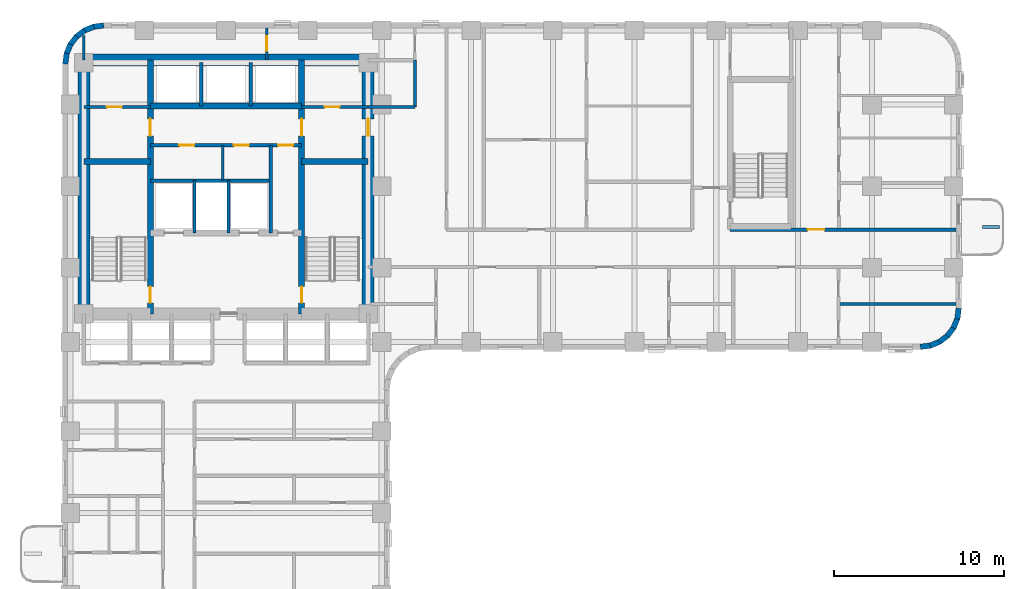
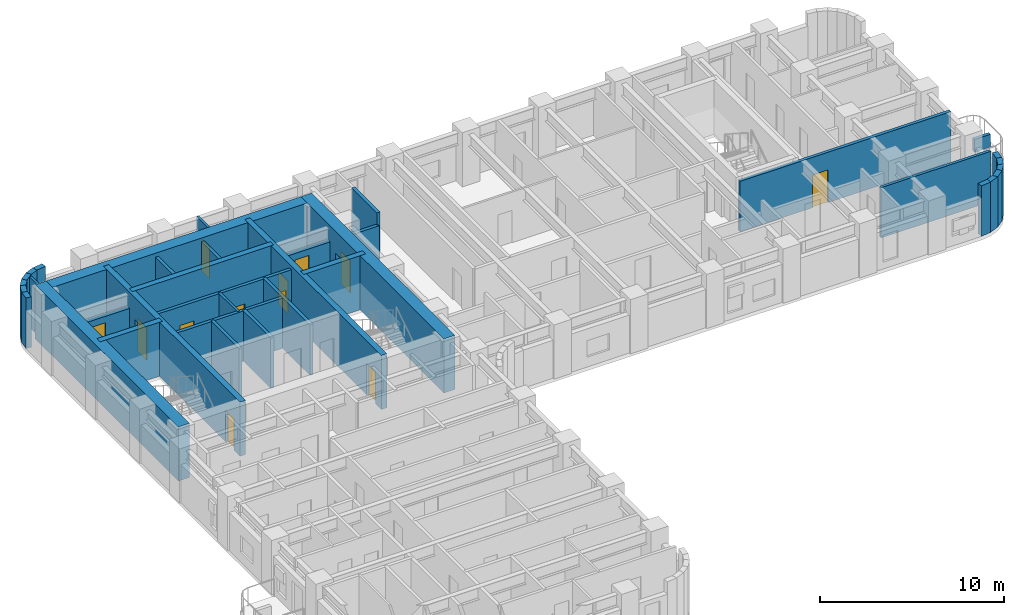
# One storey, part 6 of 12: 37 walls, 12 doors, 12 openings.
"""IFC4 building model written with IfcOpenShell, lengths in metres."""

from ifc_helpers import new_model, si_unit, direction, frame, frame_2d, origin, place, context, subcontext, project, spatial, rectangle, extrude, material, layer, layer_set, type_object, element, fill, save


model = new_model("IFC4")

# Units and contexts
model_context = context("Model", 3, precision=1e-05, world=origin(), true_north=direction((0.0, 1.0)))
body_context = subcontext(model_context, "Body", "Model", "MODEL_VIEW")
ifc_project = project(units=[si_unit("LENGTHUNIT", "METRE"), si_unit("AREAUNIT", "SQUARE_METRE"), si_unit("VOLUMEUNIT", "CUBIC_METRE"), si_unit("PLANEANGLEUNIT", "RADIAN"), si_unit("MASSUNIT", "GRAM", prefix="KILO")], contexts=[model_context])

# Site, building, storey
site_placement = place(None, origin())
site = spatial("IfcSite", under=ifc_project, at=site_placement, CompositionType="ELEMENT")
building_placement = place(site_placement, origin())
building = spatial("IfcBuilding", under=site, at=building_placement, Name="Orvandelia Arch Residences", CompositionType="ELEMENT")
storey_placement = place(building_placement, frame((0.0, 0.0, 39.39990234375)))
storey = spatial("IfcBuildingStorey", under=building, at=storey_placement, Name="L09", CompositionType="ELEMENT", Elevation=39.39990234375)

# Wall, openings, doors
ifc_material_1 = material(Name="Concrete C50/60", Category="concrete")
ifc_layer_1 = layer(ifc_material_1, 0.35009765625, Name="Concrete C50/60", Category="concrete")
ifc_layer_set_1 = layer_set([ifc_layer_1], Name="Concrete C50/60")
wall_type_1 = type_object("IfcWallType", Name="WL-CORE-350", PredefinedType="SHEAR", material=ifc_layer_set_1)
wall_1_placement = place(storey_placement, frame((9.9599609375, 30.89990234375, 0.0), z_axis=(0.0, 0.0, 1.0), x_axis=(0.0, 1.0, 0.0)))
wall_1 = element("IfcWall", 1, at=wall_1_placement, inside=storey, type_object=wall_type_1, Name="Core Shear Wall L09-WEB1", PredefinedType="SHEAR", context=body_context, shape_type="SweptSolid", body=[
    extrude(rectangle(XDim=14.900146484375, YDim=0.35009765625, at=frame_2d((7.4501953125, 0.0))), origin(), (0.0, 0.0, 1.0), 3.60009765625),
])
opening_1_placement = place(wall_1_placement, frame((0.64990234375, 0.0, 0.0)))
opening_1 = element("IfcOpeningElement", 2, at=opening_1_placement, cuts=wall_1, Name="Opening D7", PredefinedType="OPENING", context=body_context, shape_type="SweptSolid", body=[
    extrude(rectangle(XDim=0.949951171875, YDim=2.10009765625, at=frame_2d((0.47509765625, 1.050048828125))), frame((0.0, 0.18505859375, 0.0), z_axis=(0.0, -1.0, 0.0), x_axis=(1.0, 0.0, 0.0)), (0.0, 0.0, 1.0), 0.3701171875),
])
opening_2_placement = place(wall_1_placement, frame((10.449951171875, 0.0, 0.0)))
opening_2 = element("IfcOpeningElement", 3, at=opening_2_placement, cuts=wall_1, Name="Opening D6", PredefinedType="OPENING", context=body_context, shape_type="SweptSolid", body=[
    extrude(rectangle(XDim=1.0, YDim=2.14990234375, at=frame_2d((0.5, 1.074951171875))), frame((0.0, 0.18505859375, 0.0), z_axis=(0.0, -1.0, 0.0), x_axis=(1.0, 0.0, 0.0)), (0.0, 0.0, 1.0), 0.3701171875),
])
ifc_material_2 = material(Name="Smokeproof Painted Steel Fire Door", Category="steel")
door_type_1 = type_object("IfcDoorType", Name="DR-FD60-1000", OperationType="NOTDEFINED", PredefinedType="DOOR", material=ifc_material_2)
door_1_placement = place(opening_2_placement, origin())
door_1 = element("IfcDoor", 4, at=door_1_placement, inside=storey, type_object=door_type_1, Name="High-Rise Lift Hall West Vestibule Door L09", OperationType="SINGLE_SWING_LEFT", OverallHeight=2.14990234375, OverallWidth=1.0, PredefinedType="DOOR", context=body_context, shape_type="SweptSolid", body=[
    extrude(rectangle(XDim=1.0, YDim=2.14990234375, at=frame_2d((0.5, 1.074951171875))), frame((0.0, 0.02490234375, 0.0), z_axis=(0.0, -1.0, 0.0), x_axis=(1.0, 0.0, 0.0)), (0.0, 0.0, 1.0), 0.050048828125),
])
fill(opening_2, door_1)
ifc_material_3 = material(Name="Pressurised Stairwell Fire Door")
door_type_2 = type_object("IfcDoorType", Name="DR-STAIR-950", OperationType="NOTDEFINED", PredefinedType="DOOR", material=ifc_material_3)
door_2_placement = place(opening_1_placement, origin())
door_2 = element("IfcDoor", 5, at=door_2_placement, inside=storey, type_object=door_type_2, Name="Stairwell ST-1 Fire Door L09", OperationType="SINGLE_SWING_LEFT", OverallHeight=2.10009765625, OverallWidth=0.949951171875, PredefinedType="DOOR", context=body_context, shape_type="SweptSolid", body=[
    extrude(rectangle(XDim=0.949951171875, YDim=2.10009765625, at=frame_2d((0.47509765625, 1.050048828125))), frame((0.0, 0.02490234375, 0.0), z_axis=(0.0, -1.0, 0.0), x_axis=(1.0, 0.0, 0.0)), (0.0, 0.0, 1.0), 0.050048828125),
])
fill(opening_1, door_2)

wall_2_placement = place(storey_placement, frame((18.840087890625, 30.89990234375, 0.0), z_axis=(0.0, 0.0, 1.0), x_axis=(0.0, 1.0, 0.0)))
wall_2 = element("IfcWall", 6, at=wall_2_placement, inside=storey, type_object=wall_type_1, Name="Core Shear Wall L09-WEB2", PredefinedType="SHEAR", context=body_context, shape_type="SweptSolid", body=[
    extrude(rectangle(XDim=14.900146484375, YDim=0.35009765625, at=frame_2d((7.4501953125, 0.0))), origin(), (0.0, 0.0, 1.0), 3.60009765625),
])
opening_3_placement = place(wall_2_placement, frame((0.64990234375, 0.0, 0.0)))
opening_3 = element("IfcOpeningElement", 7, at=opening_3_placement, cuts=wall_2, Name="Opening D7", PredefinedType="OPENING", context=body_context, shape_type="SweptSolid", body=[
    extrude(rectangle(XDim=0.949951171875, YDim=2.10009765625, at=frame_2d((0.47509765625, 1.050048828125))), frame((0.0, 0.18505859375, 0.0), z_axis=(0.0, -1.0, 0.0), x_axis=(1.0, 0.0, 0.0)), (0.0, 0.0, 1.0), 0.3701171875),
])
opening_4_placement = place(wall_2_placement, frame((10.449951171875, 0.0, 0.0)))
opening_4 = element("IfcOpeningElement", 8, at=opening_4_placement, cuts=wall_2, Name="Opening D6", PredefinedType="OPENING", context=body_context, shape_type="SweptSolid", body=[
    extrude(rectangle(XDim=1.0, YDim=2.14990234375, at=frame_2d((0.5, 1.074951171875))), frame((0.0, 0.18505859375, 0.0), z_axis=(0.0, -1.0, 0.0), x_axis=(1.0, 0.0, 0.0)), (0.0, 0.0, 1.0), 0.3701171875),
])
door_3_placement = place(opening_4_placement, origin())
door_3 = element("IfcDoor", 9, at=door_3_placement, inside=storey, type_object=door_type_1, Name="High-Rise Lift Hall East Vestibule Door L09", OperationType="SINGLE_SWING_RIGHT", OverallHeight=2.14990234375, OverallWidth=1.0, PredefinedType="DOOR", context=body_context, shape_type="SweptSolid", body=[
    extrude(rectangle(XDim=1.0, YDim=2.14990234375, at=frame_2d((0.5, 1.074951171875))), frame((0.0, 0.02490234375, 0.0), z_axis=(0.0, -1.0, 0.0), x_axis=(1.0, 0.0, 0.0)), (0.0, 0.0, 1.0), 0.050048828125),
])
fill(opening_4, door_3)
door_4_placement = place(opening_3_placement, origin())
door_4 = element("IfcDoor", 10, at=door_4_placement, inside=storey, type_object=door_type_2, Name="Stairwell ST-2 Fire Door L09", OperationType="SINGLE_SWING_RIGHT", OverallHeight=2.10009765625, OverallWidth=0.949951171875, PredefinedType="DOOR", context=body_context, shape_type="SweptSolid", body=[
    extrude(rectangle(XDim=0.949951171875, YDim=2.10009765625, at=frame_2d((0.47509765625, 1.050048828125))), frame((0.0, 0.02490234375, 0.0), z_axis=(0.0, -1.0, 0.0), x_axis=(1.0, 0.0, 0.0)), (0.0, 0.0, 1.0), 0.050048828125),
])
fill(opening_3, door_4)

# Walls
for number, where, z_axis, x_axis, name in (
    (11, (6.050048828125, 39.85009765625, 0.0), (0.0, 0.0, 1.0), (1.0, 0.0, 0.0), "Core Shear Wall L09-HZ1"),
    (12, (18.840087890625, 39.85009765625, 0.0), (0.0, 0.0, 1.0), (1.0, 0.0, 0.0), "Core Shear Wall L09-HZ2"),
):
    element("IfcWall", number, at=place(storey_placement, frame(where, z_axis=z_axis, x_axis=x_axis)), inside=storey, type_object=wall_type_1, Name=name, PredefinedType="SHEAR", context=body_context, shape_type="SweptSolid", body=[
        extrude(rectangle(XDim=3.909912109375, YDim=0.35009765625, at=frame_2d((1.955078125, 0.0))), origin(), (0.0, 0.0, 1.0), 3.60009765625),
    ])
wall_3_placement = place(storey_placement, frame((9.9599609375, 43.10009765625, 0.0), z_axis=(0.0, 0.0, 1.0), x_axis=(1.0, 0.0, 0.0)))
element("IfcWall", 13, at=wall_3_placement, inside=storey, type_object=wall_type_1, Name="Core Shear Wall L09-HZ4", PredefinedType="SHEAR", context=body_context, shape_type="SweptSolid", body=[
    extrude(rectangle(XDim=8.880126953125, YDim=0.35009765625, at=frame_2d((4.43994140625, 0.0))), origin(), (0.0, 0.0, 1.0), 3.60009765625),
])
ifc_material_4 = material(Name="Concrete C80/95", Category="concrete")
ifc_layer_2 = layer(ifc_material_4, 0.699951171875, Name="Concrete C80/95", Category="concrete")
ifc_layer_set_2 = layer_set([ifc_layer_2], Name="Concrete C80/95")
wall_type_2 = type_object("IfcWallType", Name="WL-CORE-700", PredefinedType="SHEAR", material=ifc_layer_set_2)
wall_4_placement = place(storey_placement, frame((6.050048828125, 30.550048828125, 0.0), z_axis=(0.0, 0.0, 1.0), x_axis=(0.0, 1.0, 0.0)))
element("IfcWall", 14, at=wall_4_placement, inside=storey, type_object=wall_type_2, Name="Core Shear Wall L09-W", PredefinedType="SHEAR", context=body_context, shape_type="SweptSolid", body=[
    extrude(rectangle(XDim=15.599853515625, YDim=0.699951171875, at=frame_2d((7.7998046875, 0.0))), origin(), (0.0, 0.0, 1.0), 3.60009765625),
])

# Wall, opening, door
wall_5_placement = place(storey_placement, frame((22.75, 30.550048828125, 0.0), z_axis=(0.0, 0.0, 1.0), x_axis=(0.0, 1.0, 0.0)))
wall_5 = element("IfcWall", 15, at=wall_5_placement, inside=storey, type_object=wall_type_2, Name="Core Shear Wall L09-E", PredefinedType="SHEAR", context=body_context, shape_type="SweptSolid", body=[
    extrude(rectangle(XDim=15.599853515625, YDim=0.699951171875, at=frame_2d((7.7998046875, 0.0))), origin(), (0.0, 0.0, 1.0), 3.60009765625),
])
opening_5_placement = place(wall_5_placement, frame((10.800048828125, 0.0, 0.0)))
opening_5 = element("IfcOpeningElement", 16, at=opening_5_placement, cuts=wall_5, Name="Opening D6", PredefinedType="OPENING", context=body_context, shape_type="SweptSolid", body=[
    extrude(rectangle(XDim=1.0, YDim=2.14990234375, at=frame_2d((0.5, 1.074951171875))), frame((0.0, 0.35986328125, 0.0), z_axis=(0.0, -1.0, 0.0), x_axis=(1.0, 0.0, 0.0)), (0.0, 0.0, 1.0), 0.719970703125),
])
door_5_placement = place(opening_5_placement, origin())
door_5 = element("IfcDoor", 17, at=door_5_placement, inside=storey, type_object=door_type_1, Name="Core East Corridor Link Door L09", OperationType="SINGLE_SWING_LEFT", OverallHeight=2.14990234375, OverallWidth=1.0, PredefinedType="DOOR", context=body_context, shape_type="SweptSolid", body=[
    extrude(rectangle(XDim=1.0, YDim=2.14990234375, at=frame_2d((0.5, 1.074951171875))), frame((0.0, 0.02490234375, 0.0), z_axis=(0.0, -1.0, 0.0), x_axis=(1.0, 0.0, 0.0)), (0.0, 0.0, 1.0), 0.050048828125),
])
fill(opening_5, door_5)

# Wall
wall_6_placement = place(storey_placement, frame((6.050048828125, 45.800048828125, 0.0), z_axis=(0.0, 0.0, 1.0), x_axis=(1.0, 0.0, 0.0)))
element("IfcWall", 18, at=wall_6_placement, inside=storey, type_object=wall_type_2, Name="Core Shear Wall L09-N", PredefinedType="SHEAR", context=body_context, shape_type="SweptSolid", body=[
    extrude(rectangle(XDim=16.699951171875, YDim=0.699951171875, at=frame_2d((8.35009765625, 0.0))), origin(), (0.0, 0.0, 1.0), 3.60009765625),
])

# Wall, opening, door
ifc_material_5 = material(Name="Fire-Rated Corridor Partition")
ifc_layer_3 = layer(ifc_material_5, 0.199951171875, Name="Fire-Rated Corridor Partition")
ifc_layer_set_3 = layer_set([ifc_layer_3], Name="Fire-Rated Corridor Partition")
wall_type_3 = type_object("IfcWallType", Name="WL-CORR-200", PredefinedType="PARTITIONING", material=ifc_layer_set_3)
wall_7_placement = place(storey_placement, frame((44.02001953125, 35.85009765625, 0.0), z_axis=(0.0, 0.0, 1.0), x_axis=(1.0, 0.0, 0.0)))
wall_7 = element("IfcWall", 19, at=wall_7_placement, inside=storey, type_object=wall_type_3, Name="Interior Partition Wall WL-L09-ES-N2", PredefinedType="PARTITIONING", context=body_context, shape_type="SweptSolid", body=[
    extrude(rectangle(XDim=13.260009765625, YDim=0.199951171875, at=frame_2d((6.6298828125, 0.0))), origin(), (0.0, 0.0, 1.0), 3.35009765625),
])
opening_6_placement = place(wall_7_placement, frame((4.548583984375, 0.0, 0.0)))
opening_6 = element("IfcOpeningElement", 20, at=opening_6_placement, cuts=wall_7, Name="Opening D1", PredefinedType="OPENING", context=body_context, shape_type="SweptSolid", body=[
    extrude(rectangle(XDim=0.97998046875, YDim=2.179931640625, at=frame_2d((0.489990234375, 1.08984375))), frame((0.0, 0.10986328125, 0.0), z_axis=(0.0, -1.0, 0.0), x_axis=(1.0, 0.0, 0.0)), (0.0, 0.0, 1.0), 0.219970703125),
])
ifc_material_6 = material(Name="Solid-Core Timber Acoustic Fire Door", Category="wood")
door_type_3 = type_object("IfcDoorType", Name="DR-ENT-980", OperationType="NOTDEFINED", PredefinedType="DOOR", material=ifc_material_6)
door_6_placement = place(opening_6_placement, origin())
door_6 = element("IfcDoor", 21, at=door_6_placement, inside=storey, type_object=door_type_3, Name="Unit L09-12 Entrance Door", OperationType="SINGLE_SWING_RIGHT", OverallHeight=2.179931640625, OverallWidth=0.97998046875, PredefinedType="DOOR", context=body_context, shape_type="SweptSolid", body=[
    extrude(rectangle(XDim=0.97998046875, YDim=2.179931640625, at=frame_2d((0.489990234375, 1.08984375))), frame((0.0, 0.02490234375, 0.0), z_axis=(0.0, -1.0, 0.0), x_axis=(1.0, 0.0, 0.0)), (0.0, 0.0, 1.0), 0.050048828125),
])
fill(opening_6, door_6)

# Walls
wall_8_placement = place(storey_placement, frame((22.75, 43.050048828125, 0.0), z_axis=(0.0, 0.0, 1.0), x_axis=(1.0, 0.0, 0.0)))
element("IfcWall", 22, at=wall_8_placement, inside=storey, type_object=wall_type_3, Name="Interior Partition Wall WL-L09-ES-LS", PredefinedType="PARTITIONING", context=body_context, shape_type="SweptSolid", body=[
    extrude(rectangle(XDim=2.75, YDim=0.199951171875, at=frame_2d((1.375, 0.0))), origin(), (0.0, 0.0, 1.0), 2.530029296875),
])
wall_9_placement = place(storey_placement, frame((25.5, 43.050048828125, 0.0), z_axis=(0.0, 0.0, 1.0), x_axis=(0.0, 1.0, 0.0)))
element("IfcWall", 23, at=wall_9_placement, inside=storey, type_object=wall_type_3, Name="Interior Partition Wall WL-L09-ES-LW2", PredefinedType="PARTITIONING", context=body_context, shape_type="SweptSolid", body=[
    extrude(rectangle(XDim=2.75, YDim=0.199951171875, at=frame_2d((1.375, 0.0))), origin(), (0.0, 0.0, 1.0), 3.35009765625),
])
ifc_material_7 = material(Name="Precast concrete C40/50", Category="concrete")
ifc_layer_4 = layer(ifc_material_7, 0.320068359375, Name="Precast concrete C40/50", Category="concrete")
ifc_layer_set_4 = layer_set([ifc_layer_4], Name="Precast concrete C40/50")
wall_type_4 = type_object("IfcWallType", Name="WL-EXT-STONE-320", PredefinedType="STANDARD", material=ifc_layer_set_4)
for number, where, z_axis, x_axis, name in (
    (24, (4.95849609375, 45.5791015625, 0.0), (0.0, 0.0, 1.0), (0.130555323746, 0.9914410257, 0.0), "Coral-Limestone Precast Facade Wall L09-001"),
    (25, (5.029541015625, 46.159912109375, 0.0), (0.0, 0.0, 1.0), (0.382650053678, 0.92389335771, 0.0), "Coral-Limestone Precast Facade Wall L09-002"),
):
    element("IfcWall", number, at=place(storey_placement, frame(where, z_axis=z_axis, x_axis=x_axis)), inside=storey, type_object=wall_type_4, Name=name, PredefinedType="STANDARD", context=body_context, shape_type="SweptSolid", body=[
        extrude(rectangle(XDim=0.62646484375, YDim=0.320068359375, at=frame_2d((0.313232421875, 0.0))), origin(), (0.0, 0.0, 1.0), 3.35009765625),
    ])
wall_10_placement = place(storey_placement, frame((5.248291015625, 46.70263671875, 0.0), z_axis=(0.0, 0.0, 1.0), x_axis=(0.608938521285, 0.7932174212, 0.0)))
element("IfcWall", 26, at=wall_10_placement, inside=storey, type_object=wall_type_4, Name="Coral-Limestone Precast Facade Wall L09-003", PredefinedType="STANDARD", context=body_context, shape_type="SweptSolid", body=[
    extrude(rectangle(XDim=0.626708984375, YDim=0.320068359375, at=frame_2d((0.3134765625, 0.0))), origin(), (0.0, 0.0, 1.0), 3.35009765625),
])
wall_11_placement = place(storey_placement, frame((5.600341796875, 47.170166015625, 0.0), z_axis=(0.0, 0.0, 1.0), x_axis=(0.793405610854, 0.608693302629, 0.0)))
element("IfcWall", 27, at=wall_11_placement, inside=storey, type_object=wall_type_4, Name="Coral-Limestone Precast Facade Wall L09-004", PredefinedType="STANDARD", context=body_context, shape_type="SweptSolid", body=[
    extrude(rectangle(XDim=0.62646484375, YDim=0.320068359375, at=frame_2d((0.313232421875, 0.0))), origin(), (0.0, 0.0, 1.0), 3.35009765625),
])
wall_12_placement = place(storey_placement, frame((6.061279296875, 47.53076171875, 0.0), z_axis=(0.0, 0.0, 1.0), x_axis=(0.923836271867, 0.382787856107, 0.0)))
element("IfcWall", 28, at=wall_12_placement, inside=storey, type_object=wall_type_4, Name="Coral-Limestone Precast Facade Wall L09-005", PredefinedType="STANDARD", context=body_context, shape_type="SweptSolid", body=[
    extrude(rectangle(XDim=0.626220703125, YDim=0.320068359375, at=frame_2d((0.31298828125, 0.0))), origin(), (0.0, 0.0, 1.0), 3.35009765625),
])
for number, where, z_axis, x_axis, name in (
    (29, (6.599609375, 47.759521484375, 0.0), (0.0, 0.0, 1.0), (0.991447664465, 0.130504898859, 0.0), "Coral-Limestone Precast Facade Wall L09-006"),
    (30, (57.44140625, 31.220947265625, 0.0), (0.0, 0.0, 1.0), (-0.130504898859, -0.991447664465, 0.0), "Coral-Limestone Precast Facade Wall L09-015"),
):
    element("IfcWall", number, at=place(storey_placement, frame(where, z_axis=z_axis, x_axis=x_axis)), inside=storey, type_object=wall_type_4, Name=name, PredefinedType="STANDARD", context=body_context, shape_type="SweptSolid", body=[
        extrude(rectangle(XDim=0.626708984375, YDim=0.320068359375, at=frame_2d((0.3134765625, 0.0))), origin(), (0.0, 0.0, 1.0), 3.35009765625),
    ])
wall_13_placement = place(storey_placement, frame((57.370361328125, 30.639892578125, 0.0), z_axis=(0.0, 0.0, 1.0), x_axis=(-0.382787856107, -0.923836271867, 0.0)))
element("IfcWall", 31, at=wall_13_placement, inside=storey, type_object=wall_type_4, Name="Coral-Limestone Precast Facade Wall L09-016", PredefinedType="STANDARD", context=body_context, shape_type="SweptSolid", body=[
    extrude(rectangle(XDim=0.626220703125, YDim=0.320068359375, at=frame_2d((0.31298828125, 0.0))), origin(), (0.0, 0.0, 1.0), 3.35009765625),
])
wall_14_placement = place(storey_placement, frame((57.151611328125, 30.097412109375, 0.0), z_axis=(0.0, 0.0, 1.0), x_axis=(-0.608693302629, -0.793405610854, 0.0)))
element("IfcWall", 32, at=wall_14_placement, inside=storey, type_object=wall_type_4, Name="Coral-Limestone Precast Facade Wall L09-017", PredefinedType="STANDARD", context=body_context, shape_type="SweptSolid", body=[
    extrude(rectangle(XDim=0.62646484375, YDim=0.320068359375, at=frame_2d((0.313232421875, 0.0))), origin(), (0.0, 0.0, 1.0), 3.35009765625),
])
wall_15_placement = place(storey_placement, frame((56.7998046875, 29.6298828125, 0.0), z_axis=(0.0, 0.0, 1.0), x_axis=(-0.793361818833, -0.608750379399, 0.0)))
element("IfcWall", 33, at=wall_15_placement, inside=storey, type_object=wall_type_4, Name="Coral-Limestone Precast Facade Wall L09-018", PredefinedType="STANDARD", context=body_context, shape_type="SweptSolid", body=[
    extrude(rectangle(XDim=0.626953125, YDim=0.320068359375, at=frame_2d((0.3134765625, 0.0))), origin(), (0.0, 0.0, 1.0), 3.35009765625),
])
for number, where, z_axis, x_axis, name in (
    (34, (56.3388671875, 29.269287109375, 0.0), (0.0, 0.0, 1.0), (-0.92389335771, -0.382650053678, 0.0), "Coral-Limestone Precast Facade Wall L09-019"),
    (35, (55.80029296875, 29.040283203125, 0.0), (0.0, 0.0, 1.0), (-0.9914410257, -0.130555323746, 0.0), "Coral-Limestone Precast Facade Wall L09-020"),
):
    element("IfcWall", number, at=place(storey_placement, frame(where, z_axis=z_axis, x_axis=x_axis)), inside=storey, type_object=wall_type_4, Name=name, PredefinedType="STANDARD", context=body_context, shape_type="SweptSolid", body=[
        extrude(rectangle(XDim=0.62646484375, YDim=0.320068359375, at=frame_2d((0.313232421875, 0.0))), origin(), (0.0, 0.0, 1.0), 3.35009765625),
    ])
ifc_material_8 = material(Name="Acoustic Gypsum Stud Partition")
ifc_layer_5 = layer(ifc_material_8, 0.14990234375, Name="Acoustic Gypsum Stud Partition")
ifc_layer_set_5 = layer_set([ifc_layer_5], Name="Acoustic Gypsum Stud Partition")
wall_type_5 = type_object("IfcWallType", Name="WL-PART-150", PredefinedType="PARTITIONING", material=ifc_layer_set_5)
wall_16_placement = place(storey_placement, frame((14.199951171875, 38.719970703125, 0.0), z_axis=(0.0, 0.0, 1.0), x_axis=(0.0, 1.0, 0.0)))
element("IfcWall", 36, at=wall_16_placement, inside=storey, type_object=wall_type_5, Name="Interior Partition Wall WL-L09-CSA-1", PredefinedType="PARTITIONING", context=body_context, shape_type="SweptSolid", body=[
    extrude(rectangle(XDim=2.080078125, YDim=0.14990234375, at=frame_2d((1.0400390625, 0.0))), origin(), (0.0, 0.0, 1.0), 3.35009765625),
])
wall_17_placement = place(storey_placement, frame((6.050048828125, 45.800048828125, 0.0), z_axis=(0.0, 0.0, 1.0), x_axis=(0.0, 1.0, 0.0)))
element("IfcWall", 37, at=wall_17_placement, inside=storey, type_object=wall_type_5, Name="Interior Partition Wall WL-L09-NC-W6", PredefinedType="PARTITIONING", context=body_context, shape_type="SweptSolid", body=[
    extrude(rectangle(XDim=1.4599609375, YDim=0.14990234375, at=frame_2d((0.72998046875, 0.0))), origin(), (0.0, 0.0, 1.0), 3.35009765625),
])

# Wall, opening, door
wall_18_placement = place(storey_placement, frame((16.800048828125, 45.800048828125, 0.0), z_axis=(0.0, 0.0, 1.0), x_axis=(0.0, 1.0, 0.0)))
wall_18 = element("IfcWall", 38, at=wall_18_placement, inside=storey, type_object=wall_type_5, Name="Interior Partition Wall WL-L09-NC-M", PredefinedType="PARTITIONING", context=body_context, shape_type="SweptSolid", body=[
    extrude(rectangle(XDim=1.8798828125, YDim=0.14990234375, at=frame_2d((0.93994140625, 0.0))), origin(), (0.0, 0.0, 1.0), 3.35009765625),
])
opening_7_placement = place(wall_18_placement, frame((0.550048828125, 0.0, 0.0)))
opening_7 = element("IfcOpeningElement", 39, at=opening_7_placement, cuts=wall_18, Name="Opening D4", PredefinedType="OPENING", context=body_context, shape_type="SweptSolid", body=[
    extrude(rectangle(XDim=0.860107421875, YDim=2.10009765625, at=frame_2d((0.43017578125, 1.050048828125))), frame((0.0, 0.0849609375, 0.0), z_axis=(0.0, -1.0, 0.0), x_axis=(1.0, 0.0, 0.0)), (0.0, 0.0, 1.0), 0.169921875),
])
ifc_material_9 = material(Name="Moisture-Sealed Timber Bathroom Door", Category="wood")
door_type_4 = type_object("IfcDoorType", Name="DR-WET-900", OperationType="NOTDEFINED", PredefinedType="DOOR", material=ifc_material_9)
door_7_placement = place(opening_7_placement, origin())
door_7 = element("IfcDoor", 40, at=door_7_placement, inside=storey, type_object=door_type_4, Name="DR-L09-NCS1", OperationType="SINGLE_SWING_LEFT", OverallHeight=2.10009765625, OverallWidth=0.860107421875, PredefinedType="DOOR", context=body_context, shape_type="SweptSolid", body=[
    extrude(rectangle(XDim=0.860107421875, YDim=2.10009765625, at=frame_2d((0.43017578125, 1.050048828125))), frame((0.0, 0.02490234375, 0.0), z_axis=(0.0, -1.0, 0.0), x_axis=(1.0, 0.0, 0.0)), (0.0, 0.0, 1.0), 0.050048828125),
])
fill(opening_7, door_7)

# Walls
ifc_layer_6 = layer(ifc_material_7, 0.199951171875, Name="Precast concrete C40/50", Category="concrete")
ifc_layer_set_6 = layer_set([ifc_layer_6], Name="Precast concrete C40/50")
wall_type_6 = type_object("IfcWallType", Name="WL-PLANTER-200", PredefinedType="MOVABLE", material=ifc_layer_set_6)
wall_19_placement = place(storey_placement, frame((58.85009765625, 36.0, 0.0), z_axis=(0.0, 0.0, 1.0), x_axis=(1.0, 0.0, 0.0)))
element("IfcWall", 41, at=wall_19_placement, inside=storey, type_object=wall_type_6, Name="Balcony Precast Tree Planter BAL-L09-E1", PredefinedType="MOVABLE", context=body_context, shape_type="SweptSolid", body=[
    extrude(rectangle(XDim=1.0, YDim=0.199951171875, at=frame_2d((0.5, 0.0))), origin(), (0.0, 0.0, 1.0), 0.85009765625),
])
ifc_material_10 = material(Name="Fire-Rated Shaft Enclosure Wall")
ifc_layer_7 = layer(ifc_material_10, 0.199951171875, Name="Fire-Rated Shaft Enclosure Wall")
ifc_layer_set_7 = layer_set([ifc_layer_7], Name="Fire-Rated Shaft Enclosure Wall")
wall_type_7 = type_object("IfcWallType", Name="WL-SHAFT-200", PredefinedType="POLYGONAL", material=ifc_layer_set_7)
wall_20_placement = place(storey_placement, frame((9.9599609375, 38.719970703125, 0.0), z_axis=(0.0, 0.0, 1.0), x_axis=(1.0, 0.0, 0.0)))
element("IfcWall", 42, at=wall_20_placement, inside=storey, type_object=wall_type_7, Name="Interior Partition Wall WL-L09-FLN", PredefinedType="POLYGONAL", context=body_context, shape_type="SweptSolid", body=[
    extrude(rectangle(XDim=7.06005859375, YDim=0.199951171875, at=frame_2d((3.530029296875, 0.0))), origin(), (0.0, 0.0, 1.0), 3.35009765625),
])
for number, where, z_axis, x_axis, name in (
    (43, (12.550048828125, 35.64990234375, 0.0), (0.0, 0.0, 1.0), (0.0, 1.0, 0.0), "Interior Partition Wall WL-L09-FLM1"),
    (44, (14.550048828125, 35.64990234375, 0.0), (0.0, 0.0, 1.0), (0.0, 1.0, 0.0), "Interior Partition Wall WL-L09-FLM2"),
):
    element("IfcWall", number, at=place(storey_placement, frame(where, z_axis=z_axis, x_axis=x_axis)), inside=storey, type_object=wall_type_7, Name=name, PredefinedType="POLYGONAL", context=body_context, shape_type="SweptSolid", body=[
        extrude(rectangle(XDim=3.070068359375, YDim=0.199951171875, at=frame_2d((1.53515625, 0.0))), origin(), (0.0, 0.0, 1.0), 3.35009765625),
    ])
wall_21_placement = place(storey_placement, frame((17.02001953125, 35.64990234375, 0.0), z_axis=(0.0, 0.0, 1.0), x_axis=(0.0, 1.0, 0.0)))
element("IfcWall", 45, at=wall_21_placement, inside=storey, type_object=wall_type_7, Name="Interior Partition Wall WL-L09-FLM3", PredefinedType="POLYGONAL", context=body_context, shape_type="SweptSolid", body=[
    extrude(rectangle(XDim=5.150146484375, YDim=0.199951171875, at=frame_2d((2.5751953125, 0.0))), origin(), (0.0, 0.0, 1.0), 3.35009765625),
])

# Wall, openings, doors
wall_22_placement = place(storey_placement, frame((9.9599609375, 40.800048828125, 0.0), z_axis=(0.0, 0.0, 1.0), x_axis=(1.0, 0.0, 0.0)))
wall_22 = element("IfcWall", 46, at=wall_22_placement, inside=storey, type_object=wall_type_7, Name="Interior Partition Wall WL-L09-HLH-S", PredefinedType="POLYGONAL", context=body_context, shape_type="SweptSolid", body=[
    extrude(rectangle(XDim=8.880126953125, YDim=0.199951171875, at=frame_2d((4.43994140625, 0.0))), origin(), (0.0, 0.0, 1.0), 3.35009765625),
])
opening_8_placement = place(wall_22_placement, frame((7.5, 0.0, 0.0)))
opening_8 = element("IfcOpeningElement", 47, at=opening_8_placement, cuts=wall_22, Name="Opening D5", PredefinedType="OPENING", context=body_context, shape_type="SweptSolid", body=[
    extrude(rectangle(XDim=0.8798828125, YDim=2.10009765625, at=frame_2d((0.43994140625, 1.050048828125))), frame((0.0, 0.10986328125, 0.0), z_axis=(0.0, -1.0, 0.0), x_axis=(1.0, 0.0, 0.0)), (0.0, 0.0, 1.0), 0.219970703125),
])
opening_9_placement = place(wall_22_placement, frame((1.699951171875, 0.0, 0.0)))
opening_9 = element("IfcOpeningElement", 48, at=opening_9_placement, cuts=wall_22, Name="Opening D5", PredefinedType="OPENING", context=body_context, shape_type="SweptSolid", body=[
    extrude(rectangle(XDim=0.8798828125, YDim=2.10009765625, at=frame_2d((0.43994140625, 1.050048828125))), frame((0.0, 0.10986328125, 0.0), z_axis=(0.0, -1.0, 0.0), x_axis=(1.0, 0.0, 0.0)), (0.0, 0.0, 1.0), 0.219970703125),
])
opening_10_placement = place(wall_22_placement, frame((4.89990234375, 0.0, 0.0)))
opening_10 = element("IfcOpeningElement", 49, at=opening_10_placement, cuts=wall_22, Name="Opening D5", PredefinedType="OPENING", context=body_context, shape_type="SweptSolid", body=[
    extrude(rectangle(XDim=0.8798828125, YDim=2.10009765625, at=frame_2d((0.43994140625, 1.050048828125))), frame((0.0, 0.10986328125, 0.0), z_axis=(0.0, -1.0, 0.0), x_axis=(1.0, 0.0, 0.0)), (0.0, 0.0, 1.0), 0.219970703125),
])
ifc_material_11 = material(Name="Painted Galvanised Steel Service Door", Category="steel")
door_type_5 = type_object("IfcDoorType", Name="DR-SRV-880", OperationType="NOTDEFINED", PredefinedType="DOOR", material=ifc_material_11)
door_8_placement = place(opening_8_placement, origin())
door_8 = element("IfcDoor", 50, at=door_8_placement, inside=storey, type_object=door_type_5, Name="Core Stairway Passage North Fire Door L09", OperationType="SINGLE_SWING_RIGHT", OverallHeight=2.10009765625, OverallWidth=0.8798828125, PredefinedType="DOOR", context=body_context, shape_type="SweptSolid", body=[
    extrude(rectangle(XDim=0.8798828125, YDim=2.10009765625, at=frame_2d((0.43994140625, 1.050048828125))), frame((0.0, 0.02490234375, 0.0), z_axis=(0.0, -1.0, 0.0), x_axis=(1.0, 0.0, 0.0)), (0.0, 0.0, 1.0), 0.050048828125),
])
fill(opening_8, door_8)
door_9_placement = place(opening_9_placement, origin())
door_9 = element("IfcDoor", 51, at=door_9_placement, inside=storey, type_object=door_type_5, Name="DR-L09-CSA1", OperationType="SINGLE_SWING_LEFT", OverallHeight=2.10009765625, OverallWidth=0.8798828125, PredefinedType="DOOR", context=body_context, shape_type="SweptSolid", body=[
    extrude(rectangle(XDim=0.8798828125, YDim=2.10009765625, at=frame_2d((0.43994140625, 1.050048828125))), frame((0.0, 0.02490234375, 0.0), z_axis=(0.0, -1.0, 0.0), x_axis=(1.0, 0.0, 0.0)), (0.0, 0.0, 1.0), 0.050048828125),
])
fill(opening_9, door_9)
door_10_placement = place(opening_10_placement, origin())
door_10 = element("IfcDoor", 52, at=door_10_placement, inside=storey, type_object=door_type_5, Name="DR-L09-CSA2", OperationType="SINGLE_SWING_RIGHT", OverallHeight=2.10009765625, OverallWidth=0.8798828125, PredefinedType="DOOR", context=body_context, shape_type="SweptSolid", body=[
    extrude(rectangle(XDim=0.8798828125, YDim=2.10009765625, at=frame_2d((0.43994140625, 1.050048828125))), frame((0.0, 0.02490234375, 0.0), z_axis=(0.0, -1.0, 0.0), x_axis=(1.0, 0.0, 0.0)), (0.0, 0.0, 1.0), 0.050048828125),
])
fill(opening_10, door_10)

# Wall, opening, door
wall_23_placement = place(storey_placement, frame((18.840087890625, 43.050048828125, 0.0), z_axis=(0.0, 0.0, 1.0), x_axis=(1.0, 0.0, 0.0)))
wall_23 = element("IfcWall", 53, at=wall_23_placement, inside=storey, type_object=wall_type_7, Name="Interior Partition Wall WL-L09-HLE-N", PredefinedType="POLYGONAL", context=body_context, shape_type="SweptSolid", body=[
    extrude(rectangle(XDim=3.909912109375, YDim=0.199951171875, at=frame_2d((1.955078125, 0.0))), origin(), (0.0, 0.0, 1.0), 2.530029296875),
])
opening_11_placement = place(wall_23_placement, frame((1.35009765625, 0.0, 0.0)))
opening_11 = element("IfcOpeningElement", 54, at=opening_11_placement, cuts=wall_23, Name="Opening D5", PredefinedType="OPENING", context=body_context, shape_type="SweptSolid", body=[
    extrude(rectangle(XDim=0.8798828125, YDim=2.10009765625, at=frame_2d((0.43994140625, 1.050048828125))), frame((0.0, 0.10986328125, 0.0), z_axis=(0.0, -1.0, 0.0), x_axis=(1.0, 0.0, 0.0)), (0.0, 0.0, 1.0), 0.219970703125),
])
door_11_placement = place(opening_11_placement, origin())
door_11 = element("IfcDoor", 55, at=door_11_placement, inside=storey, type_object=door_type_5, Name="DR-L09-CSB1", OperationType="SINGLE_SWING_LEFT", OverallHeight=2.10009765625, OverallWidth=0.8798828125, PredefinedType="DOOR", context=body_context, shape_type="SweptSolid", body=[
    extrude(rectangle(XDim=0.8798828125, YDim=2.10009765625, at=frame_2d((0.43994140625, 1.050048828125))), frame((0.0, 0.02490234375, 0.0), z_axis=(0.0, -1.0, 0.0), x_axis=(1.0, 0.0, 0.0)), (0.0, 0.0, 1.0), 0.050048828125),
])
fill(opening_11, door_11)

wall_24_placement = place(storey_placement, frame((6.050048828125, 43.050048828125, 0.0), z_axis=(0.0, 0.0, 1.0), x_axis=(1.0, 0.0, 0.0)))
wall_24 = element("IfcWall", 56, at=wall_24_placement, inside=storey, type_object=wall_type_7, Name="Interior Partition Wall WL-L09-HLW-N", PredefinedType="POLYGONAL", context=body_context, shape_type="SweptSolid", body=[
    extrude(rectangle(XDim=3.909912109375, YDim=0.199951171875, at=frame_2d((1.955078125, 0.0))), origin(), (0.0, 0.0, 1.0), 2.530029296875),
])
opening_12_placement = place(wall_24_placement, frame((1.35009765625, 0.0, 0.0)))
opening_12 = element("IfcOpeningElement", 57, at=opening_12_placement, cuts=wall_24, Name="Opening D5", PredefinedType="OPENING", context=body_context, shape_type="SweptSolid", body=[
    extrude(rectangle(XDim=0.8798828125, YDim=2.10009765625, at=frame_2d((0.43994140625, 1.050048828125))), frame((0.0, 0.10986328125, 0.0), z_axis=(0.0, -1.0, 0.0), x_axis=(1.0, 0.0, 0.0)), (0.0, 0.0, 1.0), 0.219970703125),
])
door_12_placement = place(opening_12_placement, origin())
door_12 = element("IfcDoor", 58, at=door_12_placement, inside=storey, type_object=door_type_5, Name="Riser Service Door L09", OperationType="SINGLE_SWING_RIGHT", OverallHeight=2.10009765625, OverallWidth=0.8798828125, PredefinedType="DOOR", context=body_context, shape_type="SweptSolid", body=[
    extrude(rectangle(XDim=0.8798828125, YDim=2.10009765625, at=frame_2d((0.43994140625, 1.050048828125))), frame((0.0, 0.02490234375, 0.0), z_axis=(0.0, -1.0, 0.0), x_axis=(1.0, 0.0, 0.0)), (0.0, 0.0, 1.0), 0.050048828125),
])
fill(opening_12, door_12)

# Walls
for number, where, z_axis, x_axis, name in (
    (59, (12.949951171875, 43.10009765625, 0.0), (0.0, 0.0, 1.0), (0.0, 1.0, 0.0), "Interior Partition Wall WL-L09-PHD1"),
    (60, (15.85009765625, 43.10009765625, 0.0), (0.0, 0.0, 1.0), (0.0, 1.0, 0.0), "Interior Partition Wall WL-L09-PHD2"),
):
    element("IfcWall", number, at=place(storey_placement, frame(where, z_axis=z_axis, x_axis=x_axis)), inside=storey, type_object=wall_type_7, Name=name, PredefinedType="POLYGONAL", context=body_context, shape_type="SweptSolid", body=[
        extrude(rectangle(XDim=2.5498046875, YDim=0.199951171875, at=frame_2d((1.27490234375, 0.0))), origin(), (0.0, 0.0, 1.0), 3.35009765625),
    ])
ifc_material_12 = material(Name="Moisture-Resistant Plumbing Wall")
ifc_layer_8 = layer(ifc_material_12, 0.179931640625, Name="Moisture-Resistant Plumbing Wall")
ifc_layer_set_8 = layer_set([ifc_layer_8], Name="Moisture-Resistant Plumbing Wall")
wall_type_8 = type_object("IfcWallType", Name="WL-WET-180", PredefinedType="PLUMBINGWALL", material=ifc_layer_set_8)
wall_25_placement = place(storey_placement, frame((50.3798828125, 31.485107421875, 0.0), z_axis=(0.0, 0.0, 1.0), x_axis=(1.0, 0.0, 0.0)))
element("IfcWall", 61, at=wall_25_placement, inside=storey, type_object=wall_type_8, Name="Interior Partition Wall WL-L09-U10-H1", PredefinedType="PLUMBINGWALL", context=body_context, shape_type="SweptSolid", body=[
    extrude(rectangle(XDim=6.900146484375, YDim=0.179931640625, at=frame_2d((3.4501953125, 0.0))), origin(), (0.0, 0.0, 1.0), 3.35009765625),
])

save(model, "model.ifc")
